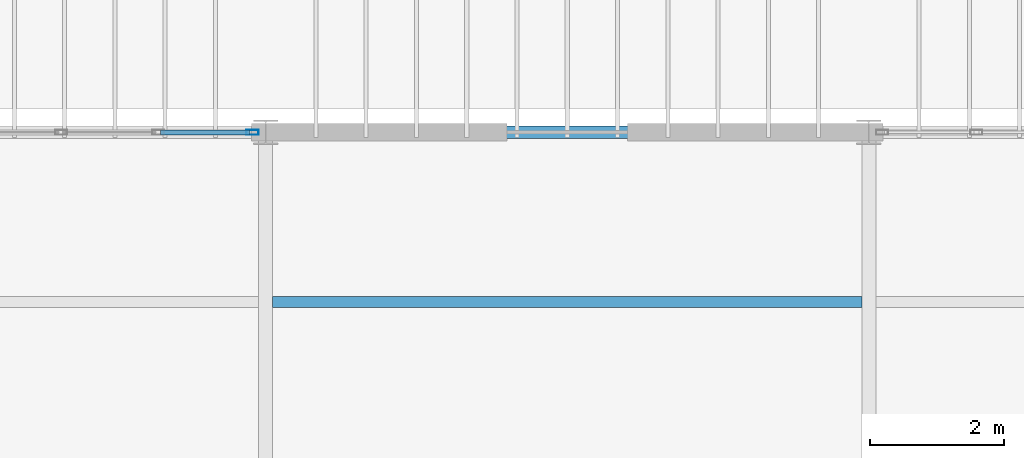
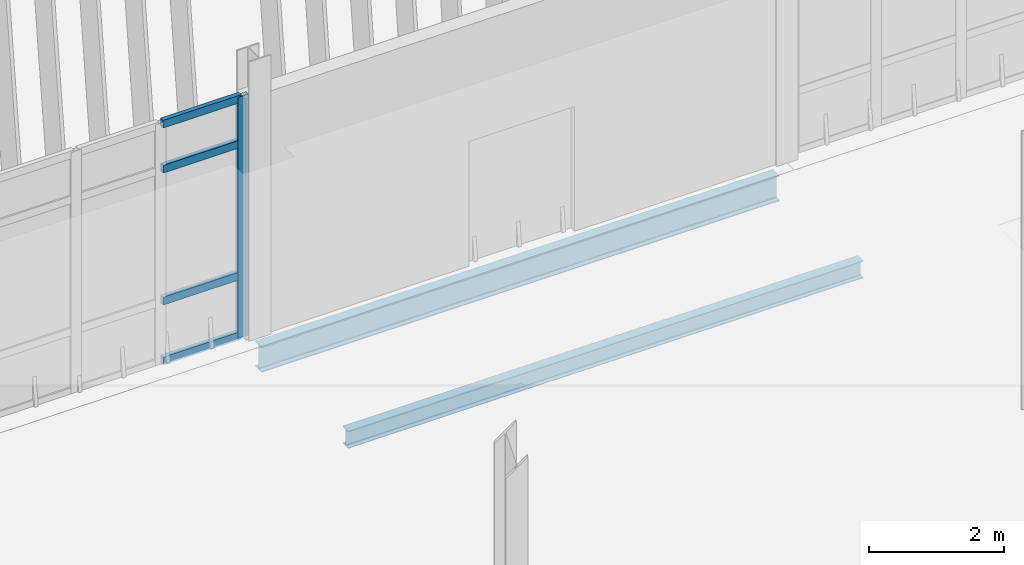
# One storey, part 45 of 161: 5 members, 2 beams, 1 element without a shape of its own.
"""IFC4 building model written with IfcOpenShell, lengths in metres."""

from ifc_helpers import new_model, si_unit, direction, frame, origin, origin_2d, place, context, subcontext, project, spatial, hollow_rectangle, i_section, extrude, material, material_profile, profile_set, type_object, element, aggregate, save


model = new_model("IFC4")

# Units and contexts
model_context = context("Model", 3, precision=1e-05, world=origin(), true_north=direction((0.0, 1.0)))
body_context = subcontext(model_context, "Body", "Model", "MODEL_VIEW")
ifc_project = project(units=[si_unit("LENGTHUNIT", "METRE"), si_unit("AREAUNIT", "SQUARE_METRE"), si_unit("VOLUMEUNIT", "CUBIC_METRE"), si_unit("PLANEANGLEUNIT", "RADIAN"), si_unit("MASSUNIT", "GRAM", prefix="KILO")], contexts=[model_context])

# Site, building, storey
site_placement = place(None, origin())
site = spatial("IfcSite", under=ifc_project, at=site_placement, CompositionType="ELEMENT")
building_placement = place(site_placement, origin())
building = spatial("IfcBuilding", under=site, at=building_placement, Name="Caisbarro Railhouse Central Library", CompositionType="ELEMENT")
storey_placement = place(building_placement, origin())
storey = spatial("IfcBuildingStorey", under=building, at=storey_placement, Name="L00", CompositionType="ELEMENT", Elevation=0.0)

# Beams
ifc_material_1 = material(Name="Steel ASTM A572 Grade 50", Category="steel")
ifc_material_profile_1 = material_profile(ifc_material_1, i_section(OverallWidth=0.1650390625, OverallDepth=0.31005859375, WebThickness=0.005859375, FlangeThickness=0.009765625, FilletRadius=0.011962890625, at=origin_2d()), Name="W310X38.7")
ifc_profile_set_1 = profile_set([ifc_material_profile_1], Name="Steel ASTM A572 Grade 50")
beam_type_1 = type_object("IfcBeamType", Name="BM-J03", PredefinedType="JOIST", material=ifc_profile_set_1)
beam_1_placement = place(storey_placement, frame((9.1044921875, 58.2666015625, -0.405029296875), z_axis=(1.0, 0.0, 0.0), x_axis=(0.0, 1.0, 0.0)))
element("IfcBeam", 1, at=beam_1_placement, inside=storey, type_object=beam_type_1, Name="J03 beam L00 #334", PredefinedType="JOIST", context=body_context, shape_type="SweptSolid", body=[
    extrude(i_section(OverallWidth=0.1650390625, OverallDepth=0.31005859375, WebThickness=0.005859375, FlangeThickness=0.009765625, FilletRadius=0.011962890625, at=origin_2d()), origin(), (0.0, 0.0, 1.0), 8.791015625),
])
ifc_material_profile_2 = material_profile(ifc_material_1, i_section(OverallWidth=0.18994140625, OverallDepth=0.45703125, WebThickness=0.009033203125, FlangeThickness=0.014404296875, FilletRadius=0.01806640625, at=origin_2d()), Name="W460X74.0")
ifc_profile_set_2 = profile_set([ifc_material_profile_2], Name="Steel ASTM A572 Grade 50")
beam_type_2 = type_object("IfcBeamType", Name="BM-SP01", PredefinedType="SPANDREL", material=ifc_profile_set_2)
beam_2_placement = place(storey_placement, frame((9.080078125, 60.800048828125, -0.478515625), z_axis=(1.0, 0.0, 0.0), x_axis=(0.0, 1.0, 0.0)))
element("IfcBeam", 2, at=beam_2_placement, inside=storey, type_object=beam_type_2, Name="SP01 beam L00 #276", PredefinedType="SPANDREL", context=body_context, shape_type="SweptSolid", body=[
    extrude(i_section(OverallWidth=0.18994140625, OverallDepth=0.45703125, WebThickness=0.009033203125, FlangeThickness=0.014404296875, FilletRadius=0.01806640625, at=origin_2d()), origin(), (0.0, 0.0, 1.0), 8.83984375),
])

# Curtain wall, members
ifc_material_2 = material(Name="Anodised architectural aluminium", Category="aluminium")
curtain_wall_type = type_object("IfcCurtainWallType", Name="CW-CW01", PredefinedType="NOTDEFINED", material=ifc_material_2)
curtain_wall_placement = place(storey_placement, origin())
curtain_wall = element("IfcCurtainWall", 3, at=curtain_wall_placement, inside=storey, type_object=curtain_wall_type, Name="CW01 curtain wall L00 #1", PredefinedType="NOTDEFINED")
ifc_material_profile_3 = material_profile(ifc_material_2, hollow_rectangle(XDim=0.074951171875, YDim=0.179931640625, WallThickness=0.00439453125, at=origin_2d()), Name="ALU-MUL-75X180")
ifc_profile_set_3 = profile_set([ifc_material_profile_3], Name="Anodised architectural aluminium")
member_type_1 = type_object("IfcMemberType", Name="CWM-M01", PredefinedType="MULLION", material=ifc_profile_set_3)
member_1_placement = place(storey_placement, frame((8.802490234375, 60.800048828125, 0.0), z_axis=(0.0, 0.0, 1.0), x_axis=(0.0, 1.0, 0.0)))
member_1 = element("IfcMember", 4, at=member_1_placement, type_object=member_type_1, Name="CW01 mullion 7", PredefinedType="MULLION", context=body_context, shape_type="SweptSolid", body=[
    extrude(hollow_rectangle(XDim=0.074951171875, YDim=0.179931640625, WallThickness=0.00439453125, at=origin_2d()), origin(), (0.0, 0.0, 1.0), 4.35009765625),
])
ifc_material_profile_4 = material_profile(ifc_material_2, hollow_rectangle(XDim=0.074951171875, YDim=0.139892578125, WallThickness=0.00390625, at=origin_2d()), Name="ALU-TRN-75X140")
ifc_profile_set_4 = profile_set([ifc_material_profile_4], Name="Anodised architectural aluminium")
member_type_2 = type_object("IfcMemberType", Name="CWT-T01", PredefinedType="USERDEFINED", material=ifc_profile_set_4)
member_2_placement = place(storey_placement, frame((7.430908203125, 60.800048828125, 0.03759765625), z_axis=(1.0, 0.0, 0.0), x_axis=(0.0, 1.0, 0.0)))
member_2 = element("IfcMember", 5, at=member_2_placement, type_object=member_type_2, Name="CW01 transom 6.1", ObjectType="TRANSOM", PredefinedType="USERDEFINED", context=body_context, shape_type="SweptSolid", body=[
    extrude(hollow_rectangle(XDim=0.074951171875, YDim=0.139892578125, WallThickness=0.00390625, at=origin_2d()), origin(), (0.0, 0.0, 1.0), 1.333984375),
])
member_3_placement = place(storey_placement, frame((7.430908203125, 60.800048828125, 1.1201171875), z_axis=(1.0, 0.0, 0.0), x_axis=(0.0, 1.0, 0.0)))
member_3 = element("IfcMember", 6, at=member_3_placement, type_object=member_type_2, Name="CW01 transom 6.2", ObjectType="TRANSOM", PredefinedType="USERDEFINED", context=body_context, shape_type="SweptSolid", body=[
    extrude(hollow_rectangle(XDim=0.074951171875, YDim=0.139892578125, WallThickness=0.00390625, at=origin_2d()), origin(), (0.0, 0.0, 1.0), 1.333984375),
])
member_4_placement = place(storey_placement, frame((7.430908203125, 60.800048828125, 3.5), z_axis=(1.0, 0.0, 0.0), x_axis=(0.0, 1.0, 0.0)))
member_4 = element("IfcMember", 7, at=member_4_placement, type_object=member_type_2, Name="CW01 transom 6.3", ObjectType="TRANSOM", PredefinedType="USERDEFINED", context=body_context, shape_type="SweptSolid", body=[
    extrude(hollow_rectangle(XDim=0.074951171875, YDim=0.139892578125, WallThickness=0.00390625, at=origin_2d()), origin(), (0.0, 0.0, 1.0), 1.333984375),
])
member_5_placement = place(storey_placement, frame((7.430908203125, 60.800048828125, 4.3125), z_axis=(1.0, 0.0, 0.0), x_axis=(0.0, 1.0, 0.0)))
member_5 = element("IfcMember", 8, at=member_5_placement, type_object=member_type_2, Name="CW01 transom 6.4", ObjectType="TRANSOM", PredefinedType="USERDEFINED", context=body_context, shape_type="SweptSolid", body=[
    extrude(hollow_rectangle(XDim=0.074951171875, YDim=0.139892578125, WallThickness=0.00390625, at=origin_2d()), origin(), (0.0, 0.0, 1.0), 1.333984375),
])
aggregate(curtain_wall, [member_1, member_2, member_3, member_4, member_5])

save(model, "model.ifc")
